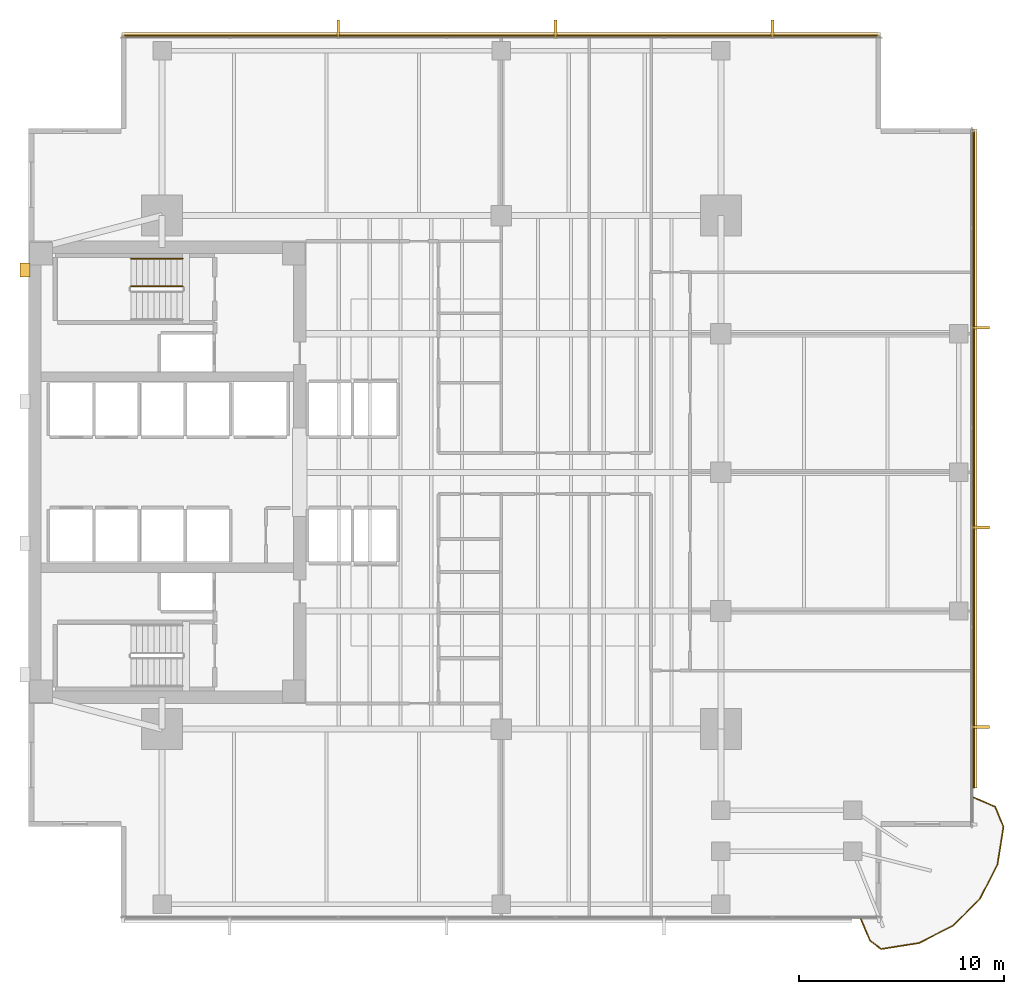
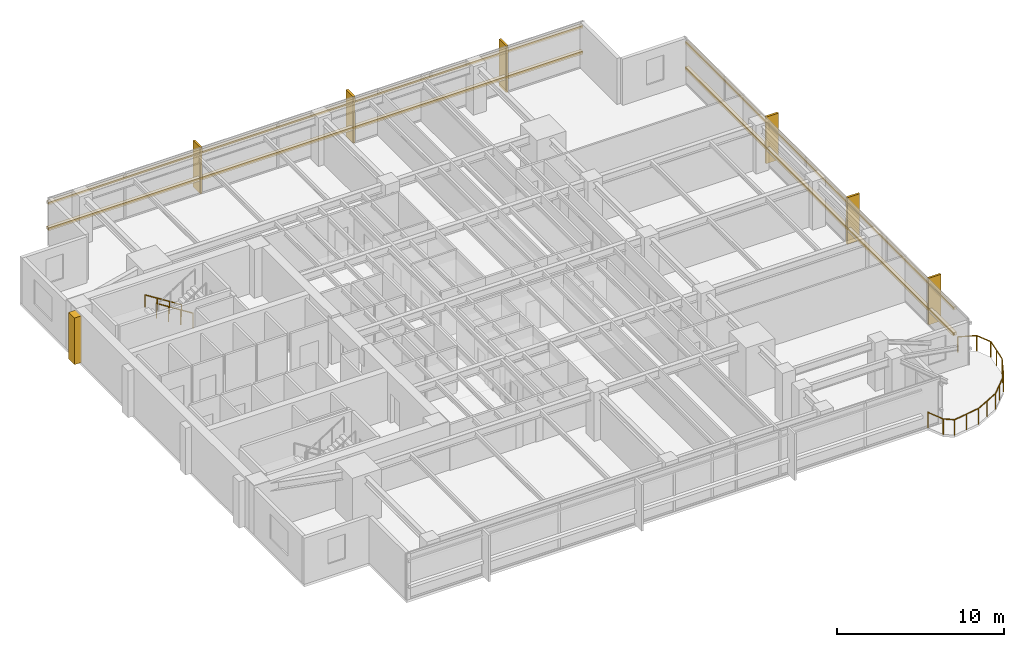
# One storey, part 14 of 14: 11 coverings, 11 railings, 4 shading devices.
"""IFC4 building model written with IfcOpenShell, lengths in metres."""

from ifc_helpers import new_model, si_unit, direction, frame, origin, origin_2d, place, context, subcontext, project, spatial, polyline, rectangle, circle, outline, extrude, material, layer, layer_set, material_profile, profile_set, type_object, element, save


model = new_model("IFC4")

# Units and contexts
model_context = context("Model", 3, precision=1e-05, world=origin(), true_north=direction((0.0, 1.0)))
body_context = subcontext(model_context, "Body", "Model", "MODEL_VIEW")
ifc_project = project(units=[si_unit("LENGTHUNIT", "METRE"), si_unit("AREAUNIT", "SQUARE_METRE"), si_unit("VOLUMEUNIT", "CUBIC_METRE"), si_unit("PLANEANGLEUNIT", "RADIAN"), si_unit("MASSUNIT", "GRAM", prefix="KILO")], contexts=[model_context])

# Site, building, storey
site_placement = place(None, origin())
site = spatial("IfcSite", under=ifc_project, at=site_placement, CompositionType="ELEMENT")
building_placement = place(site_placement, origin())
building = spatial("IfcBuilding", under=site, at=building_placement, Name="Kinhvarn Gate Tower", CompositionType="ELEMENT")
storey_placement = place(building_placement, frame((0.0, 0.0, 102.25)))
storey = spatial("IfcBuildingStorey", under=building, at=storey_placement, Name="L26", CompositionType="ELEMENT", Elevation=102.25)

# Coverings
ifc_material_1 = material(Name="Fired architectural terracotta", Category="masonry")
ifc_layer_1 = layer(ifc_material_1, 0.239990234375)
ifc_layer_set_1 = layer_set([ifc_layer_1], Name="Fired architectural terracotta")
covering_type_1 = type_object("IfcCoveringType", Name="COV-BAG-220", PredefinedType="CLADDING", material=ifc_layer_set_1)
for number, where, name in (
    (1, (0.0, 0.0, 0.93994140625), "Terracotta Horizontal Sunscreen Band TBG-220 (L26)"),
    (2, (0.0, 0.0, 2.81005859375), "Terracotta Horizontal Sunscreen Band TBG-220 (L26)"),
):
    element("IfcCovering", number, at=place(storey_placement, frame(where)), inside=storey, type_object=covering_type_1, Name=name, PredefinedType="CLADDING", context=body_context, shape_type="SweptSolid", body=[
        extrude(outline(polyline([(45.9599609375, 46.429931640625), (9.0400390625, 46.429931640625), (9.0400390625, 46.669921875), (45.9599609375, 46.669921875), (45.9599609375, 46.429931640625)])), origin(), (0.0, 0.0, 1.0), 0.219970703125),
    ])
for number, where, name in (
    (3, (0.0, 0.0, 0.93994140625), "Terracotta Horizontal Sunscreen Band TBG-220 (L26)"),
    (4, (0.0, 0.0, 2.81005859375), "Terracotta Horizontal Sunscreen Band TBG-220 (L26)"),
):
    element("IfcCovering", number, at=place(storey_placement, frame(where)), inside=storey, type_object=covering_type_1, Name=name, PredefinedType="CLADDING", context=body_context, shape_type="SweptSolid", body=[
        extrude(outline(polyline([(50.429931640625, 9.875), (50.429931640625, 41.9599609375), (50.669921875, 41.9599609375), (50.669921875, 9.875), (50.429931640625, 9.875)])), origin(), (0.0, 0.0, 1.0), 0.219970703125),
    ])
ifc_layer_2 = layer(ifc_material_1, 0.139892578125)
ifc_layer_set_2 = layer_set([ifc_layer_2], Name="Fired architectural terracotta")
covering_type_2 = type_object("IfcCoveringType", Name="COV-FIN-850", PredefinedType="CLADDING", material=ifc_layer_set_2)
covering_1_placement = place(storey_placement, frame((0.0, 0.0, -0.02001953125)))
element("IfcCovering", 5, at=covering_1_placement, inside=storey, type_object=covering_type_2, Name="Vertical Terracotta Expressive Fin TFN-850 (L26)", PredefinedType="CLADDING", context=body_context, shape_type="SweptSolid", body=[
    extrude(outline(polyline([(40.7841796875, 46.419921875), (40.644287109375, 46.419921875), (40.644287109375, 47.27001953125), (40.7841796875, 47.27001953125), (40.7841796875, 46.419921875)])), origin(), (0.0, 0.0, 1.0), 3.409912109375),
])
covering_2_placement = place(storey_placement, frame((0.0, 0.0, -0.02001953125)))
element("IfcCovering", 6, at=covering_2_placement, inside=storey, type_object=covering_type_2, Name="Vertical Terracotta Expressive Fin TFN-850 (L26)", PredefinedType="CLADDING", context=body_context, shape_type="SweptSolid", body=[
    extrude(outline(polyline([(30.212890625, 46.419921875), (30.072998046875, 46.419921875), (30.072998046875, 47.27001953125), (30.212890625, 47.27001953125), (30.212890625, 46.419921875)])), origin(), (0.0, 0.0, 1.0), 3.409912109375),
])
covering_3_placement = place(storey_placement, frame((0.0, 0.0, -0.02001953125)))
element("IfcCovering", 7, at=covering_3_placement, inside=storey, type_object=covering_type_2, Name="Vertical Terracotta Expressive Fin TFN-850 (L26)", PredefinedType="CLADDING", context=body_context, shape_type="SweptSolid", body=[
    extrude(outline(polyline([(19.641357421875, 46.419921875), (19.50146484375, 46.419921875), (19.50146484375, 47.27001953125), (19.641357421875, 47.27001953125), (19.641357421875, 46.419921875)])), origin(), (0.0, 0.0, 1.0), 3.409912109375),
])
covering_4_placement = place(storey_placement, frame((0.0, 0.0, -0.02001953125)))
element("IfcCovering", 8, at=covering_4_placement, inside=storey, type_object=covering_type_2, Name="Vertical Terracotta Expressive Fin TFN-850 (L26)", PredefinedType="CLADDING", context=body_context, shape_type="SweptSolid", body=[
    extrude(outline(polyline([(50.419921875, 12.787109375), (50.419921875, 12.927001953125), (51.27001953125, 12.927001953125), (51.27001953125, 12.787109375), (50.419921875, 12.787109375)])), origin(), (0.0, 0.0, 1.0), 3.409912109375),
])
covering_5_placement = place(storey_placement, frame((0.0, 0.0, -0.02001953125)))
element("IfcCovering", 9, at=covering_5_placement, inside=storey, type_object=covering_type_2, Name="Vertical Terracotta Expressive Fin TFN-850 (L26)", PredefinedType="CLADDING", context=body_context, shape_type="SweptSolid", body=[
    extrude(outline(polyline([(50.419921875, 22.50146484375), (50.419921875, 22.641357421875), (51.27001953125, 22.641357421875), (51.27001953125, 22.50146484375), (50.419921875, 22.50146484375)])), origin(), (0.0, 0.0, 1.0), 3.409912109375),
])
covering_6_placement = place(storey_placement, frame((0.0, 0.0, -0.02001953125)))
element("IfcCovering", 10, at=covering_6_placement, inside=storey, type_object=covering_type_2, Name="Vertical Terracotta Expressive Fin TFN-850 (L26)", PredefinedType="CLADDING", context=body_context, shape_type="SweptSolid", body=[
    extrude(outline(polyline([(50.419921875, 32.2158203125), (50.419921875, 32.355712890625), (51.27001953125, 32.355712890625), (51.27001953125, 32.2158203125), (50.419921875, 32.2158203125)])), origin(), (0.0, 0.0, 1.0), 3.409912109375),
])
ifc_material_2 = material(Name="Precast white architectural concrete C40/50", Category="concrete")
ifc_layer_3 = layer(ifc_material_2, 0.47998046875)
ifc_layer_set_3 = layer_set([ifc_layer_3], Name="Precast white architectural concrete C40/50")
covering_type_3 = type_object("IfcCoveringType", Name="COV-RIB-450", PredefinedType="CLADDING", material=ifc_layer_set_3)
covering_7_placement = place(storey_placement, frame((0.0, 0.0, -0.02001953125)))
element("IfcCovering", 11, at=covering_7_placement, inside=storey, type_object=covering_type_3, Name="West Core Sculptural Concrete Relief Rib CRB-450 (L26)", PredefinedType="CLADDING", context=body_context, shape_type="SweptSolid", body=[
    extrude(outline(polyline([(4.080078125, 34.75), (4.56005859375, 34.75), (4.56005859375, 35.449951171875), (4.080078125, 35.449951171875), (4.080078125, 34.75)])), origin(), (0.0, 0.0, 1.0), 3.409912109375),
])

# Railings
ifc_material_3 = material(Name="Clear low-e double glazing", Category="glass")
railing_type_1 = type_object("IfcRailingType", Name="RL-BAL-1150", PredefinedType="BALUSTRADE", material=ifc_material_3)
railing_1_placement = place(storey_placement, frame((45.011962890625, 3.5, 0.0)))
element("IfcRailing", 12, at=railing_1_placement, inside=storey, type_object=railing_type_1, Name="S-Carve Balcony Guardrail Seg 1 (L26)", PredefinedType="BALUSTRADE", context=body_context, shape_type="SweptSolid", body=[
    extrude(circle(Radius=0.02392578125, at=origin_2d()), frame((0.0, 0.0, 1.1259765625), z_axis=(0.39394509609, -0.919133973514, 0.0), x_axis=(0.919133973514, 0.39394509609, 0.0)), (0.0, 0.0, 1.0), 1.14208984375),
    extrude(circle(Radius=0.02099609375, at=origin_2d()), origin(), (0.0, 0.0, 1.0), 1.101806640625),
    extrude(circle(Radius=0.02099609375, at=origin_2d()), frame((0.449951171875, -1.0498046875, 0.0)), (0.0, 0.0, 1.0), 1.101806640625),
])
railing_2_placement = place(storey_placement, frame((45.4619140625, 2.4501953125, 0.0)))
element("IfcRailing", 13, at=railing_2_placement, inside=storey, type_object=railing_type_1, Name="S-Carve Balcony Guardrail Seg 2 (L26)", PredefinedType="BALUSTRADE", context=body_context, shape_type="SweptSolid", body=[
    extrude(circle(Radius=0.02392578125, at=origin_2d()), frame((0.0, 0.0, 1.1259765625), z_axis=(0.796691270902, -0.604386481374, 0.0), x_axis=(0.604386481374, 0.796691270902, 0.0)), (0.0, 0.0, 1.0), 0.67529296875),
    extrude(circle(Radius=0.02099609375, at=origin_2d()), origin(), (0.0, 0.0, 1.0), 1.101806640625),
    extrude(circle(Radius=0.02099609375, at=origin_2d()), frame((0.5380859375, -0.408203125, 0.0)), (0.0, 0.0, 1.0), 1.101806640625),
])
railing_3_placement = place(storey_placement, frame((46.0, 2.0419921875, 0.0)))
element("IfcRailing", 14, at=railing_3_placement, inside=storey, type_object=railing_type_1, Name="S-Carve Balcony Guardrail Seg 3 (L26)", PredefinedType="BALUSTRADE", context=body_context, shape_type="SweptSolid", body=[
    extrude(circle(Radius=0.02392578125, at=origin_2d()), frame((0.0, 0.0, 1.1259765625), z_axis=(0.987695970084, 0.156386286737, 0.0), x_axis=(-0.156386286737, 0.987695970084, 0.0)), (0.0, 0.0, 1.0), 1.864013671875),
    extrude(circle(Radius=0.02099609375, at=origin_2d()), origin(), (0.0, 0.0, 1.0), 1.101806640625),
    extrude(circle(Radius=0.02099609375, at=origin_2d()), frame((0.92041015625, 0.145751953125, 0.0)), (0.0, 0.0, 1.0), 1.101806640625),
    extrude(circle(Radius=0.02099609375, at=origin_2d()), frame((1.841064453125, 0.29150390625, 0.0)), (0.0, 0.0, 1.0), 1.101806640625),
])
railing_4_placement = place(storey_placement, frame((47.841064453125, 2.33349609375, 0.0)))
element("IfcRailing", 15, at=railing_4_placement, inside=storey, type_object=railing_type_1, Name="S-Carve Balcony Guardrail Seg 4 (L26)", PredefinedType="BALUSTRADE", context=body_context, shape_type="SweptSolid", body=[
    extrude(circle(Radius=0.02392578125, at=origin_2d()), frame((0.0, 0.0, 1.1259765625), z_axis=(0.890969523609, 0.45406311015, 0.0), x_axis=(-0.45406311015, 0.890969523609, 0.0)), (0.0, 0.0, 1.0), 1.8642578125),
    extrude(circle(Radius=0.02099609375, at=origin_2d()), origin(), (0.0, 0.0, 1.0), 1.101806640625),
    extrude(circle(Radius=0.02099609375, at=origin_2d()), frame((0.83056640625, 0.42333984375, 0.0)), (0.0, 0.0, 1.0), 1.101806640625),
    extrude(circle(Radius=0.02099609375, at=origin_2d()), frame((1.660888671875, 0.846435546875, 0.0)), (0.0, 0.0, 1.0), 1.101806640625),
])
railing_5_placement = place(storey_placement, frame((49.501953125, 3.179931640625, 0.0)))
element("IfcRailing", 16, at=railing_5_placement, inside=storey, type_object=railing_type_1, Name="S-Carve Balcony Guardrail Seg 5 (L26)", PredefinedType="BALUSTRADE", context=body_context, shape_type="SweptSolid", body=[
    extrude(circle(Radius=0.02392578125, at=origin_2d()), frame((0.0, 0.0, 1.1259765625), z_axis=(0.707106781187, 0.707106781187, 0.0), x_axis=(-0.707106781187, 0.707106781187, 0.0)), (0.0, 0.0, 1.0), 1.864013671875),
    extrude(circle(Radius=0.02099609375, at=origin_2d()), origin(), (0.0, 0.0, 1.0), 1.101806640625),
    extrude(circle(Radius=0.02099609375, at=origin_2d()), frame((0.6591796875, 0.6591796875, 0.0)), (0.0, 0.0, 1.0), 1.101806640625),
    extrude(circle(Radius=0.02099609375, at=origin_2d()), frame((1.318115234375, 1.318115234375, 0.0)), (0.0, 0.0, 1.0), 1.101806640625),
])
railing_6_placement = place(storey_placement, frame((50.820068359375, 4.498046875, 0.0)))
element("IfcRailing", 17, at=railing_6_placement, inside=storey, type_object=railing_type_1, Name="S-Carve Balcony Guardrail Seg 6 (L26)", PredefinedType="BALUSTRADE", context=body_context, shape_type="SweptSolid", body=[
    extrude(circle(Radius=0.02392578125, at=origin_2d()), frame((0.0, 0.0, 1.1259765625), z_axis=(0.45406311015, 0.890969523609, 0.0), x_axis=(-0.890969523609, 0.45406311015, 0.0)), (0.0, 0.0, 1.0), 1.8642578125),
    extrude(circle(Radius=0.02099609375, at=origin_2d()), origin(), (0.0, 0.0, 1.0), 1.101806640625),
    extrude(circle(Radius=0.02099609375, at=origin_2d()), frame((0.42333984375, 0.83056640625, 0.0)), (0.0, 0.0, 1.0), 1.101806640625),
    extrude(circle(Radius=0.02099609375, at=origin_2d()), frame((0.846435546875, 1.660888671875, 0.0)), (0.0, 0.0, 1.0), 1.101806640625),
])
railing_7_placement = place(storey_placement, frame((51.66650390625, 6.158935546875, 0.0)))
element("IfcRailing", 18, at=railing_7_placement, inside=storey, type_object=railing_type_1, Name="S-Carve Balcony Guardrail Seg 7 (L26)", PredefinedType="BALUSTRADE", context=body_context, shape_type="SweptSolid", body=[
    extrude(circle(Radius=0.02392578125, at=origin_2d()), frame((0.0, 0.0, 1.1259765625), z_axis=(0.156386286737, 0.987695970084, 0.0), x_axis=(-0.987695970084, 0.156386286737, 0.0)), (0.0, 0.0, 1.0), 1.864013671875),
    extrude(circle(Radius=0.02099609375, at=origin_2d()), origin(), (0.0, 0.0, 1.0), 1.101806640625),
    extrude(circle(Radius=0.02099609375, at=origin_2d()), frame((0.145751953125, 0.92041015625, 0.0)), (0.0, 0.0, 1.0), 1.101806640625),
    extrude(circle(Radius=0.02099609375, at=origin_2d()), frame((0.29150390625, 1.841064453125, 0.0)), (0.0, 0.0, 1.0), 1.101806640625),
])
railing_8_placement = place(storey_placement, frame((51.9580078125, 8.0, 0.0)))
element("IfcRailing", 19, at=railing_8_placement, inside=storey, type_object=railing_type_1, Name="S-Carve Balcony Guardrail Seg 8 (L26)", PredefinedType="BALUSTRADE", context=body_context, shape_type="SweptSolid", body=[
    extrude(circle(Radius=0.02392578125, at=origin_2d()), frame((0.0, 0.0, 1.1259765625), z_axis=(-0.386156368869, 0.922433335684, 0.0), x_axis=(-0.922433335684, -0.386156368869, 0.0)), (0.0, 0.0, 1.0), 1.05712890625),
    extrude(circle(Radius=0.02099609375, at=origin_2d()), origin(), (0.0, 0.0, 1.0), 1.101806640625),
    extrude(circle(Radius=0.02099609375, at=origin_2d()), frame((-0.408203125, 0.97509765625, 0.0)), (0.0, 0.0, 1.0), 1.101806640625),
])
railing_9_placement = place(storey_placement, frame((51.5498046875, 8.97509765625, 0.0)))
element("IfcRailing", 20, at=railing_9_placement, inside=storey, type_object=railing_type_1, Name="S-Carve Balcony Guardrail Seg 9 (L26)", PredefinedType="BALUSTRADE", context=body_context, shape_type="SweptSolid", body=[
    extrude(circle(Radius=0.02392578125, at=origin_2d()), frame((0.0, 0.0, 1.1259765625), z_axis=(-0.919133973514, 0.39394509609, 0.0), x_axis=(-0.39394509609, -0.919133973514, 0.0)), (0.0, 0.0, 1.0), 1.14208984375),
    extrude(circle(Radius=0.02099609375, at=origin_2d()), origin(), (0.0, 0.0, 1.0), 1.101806640625),
    extrude(circle(Radius=0.02099609375, at=origin_2d()), frame((-1.0498046875, 0.449951171875, 0.0)), (0.0, 0.0, 1.0), 1.101806640625),
])
ifc_material_4 = material(Name="Steel S355", Category="steel")
railing_type_2 = type_object("IfcRailingType", Name="RL-ST-GRD", PredefinedType="BALUSTRADE", material=ifc_material_4)
railing_10_placement = place(storey_placement, frame((12.0, 34.300048828125, 0.177490234375)))
element("IfcRailing", 21, at=railing_10_placement, inside=storey, type_object=railing_type_2, Name="L26 ST2 stair guard 1", PredefinedType="BALUSTRADE", context=body_context, shape_type="SweptSolid", body=[
    extrude(circle(Radius=0.02392578125, at=origin_2d()), frame((0.0, 0.0, 1.076171875), z_axis=(-0.84460694969, 0.0, 0.535386869969), x_axis=(0.0, -1.0, 0.0)), (0.0, 0.0, 1.0), 2.983642578125),
    extrude(circle(Radius=0.02099609375, at=origin_2d()), origin(), (0.0, 0.0, 1.0), 1.052001953125),
    extrude(circle(Radius=0.02099609375, at=origin_2d()), frame((-0.840087890625, 0.0, 0.532470703125)), (0.0, 0.0, 1.0), 1.052001953125),
    extrude(circle(Radius=0.02099609375, at=origin_2d()), frame((-1.679931640625, 0.0, 1.06494140625)), (0.0, 0.0, 1.0), 1.052001953125),
    extrude(circle(Radius=0.02099609375, at=origin_2d()), frame((-2.52001953125, 0.0, 1.597412109375)), (0.0, 0.0, 1.0), 1.052001953125),
])
railing_type_3 = type_object("IfcRailingType", Name="RL-ST-HND", PredefinedType="HANDRAIL", material=ifc_material_4)
railing_11_placement = place(storey_placement, frame((12.0, 35.64990234375, 0.177490234375)))
element("IfcRailing", 22, at=railing_11_placement, inside=storey, type_object=railing_type_3, Name="L26 ST2 stair handrail 1", PredefinedType="HANDRAIL", context=body_context, shape_type="SweptSolid", body=[
    extrude(circle(Radius=0.02392578125, at=origin_2d()), frame((0.0, 0.0, 0.8759765625), z_axis=(-0.84460694969, 0.0, 0.535386869969), x_axis=(0.0, -1.0, 0.0)), (0.0, 0.0, 1.0), 2.983642578125),
    extrude(circle(Radius=0.02099609375, at=origin_2d()), origin(), (0.0, 0.0, 1.0), 0.851806640625),
    extrude(circle(Radius=0.02099609375, at=origin_2d()), frame((-0.840087890625, 0.0, 0.532470703125)), (0.0, 0.0, 1.0), 0.851806640625),
    extrude(circle(Radius=0.02099609375, at=origin_2d()), frame((-1.679931640625, 0.0, 1.06494140625)), (0.0, 0.0, 1.0), 0.851806640625),
    extrude(circle(Radius=0.02099609375, at=origin_2d()), frame((-2.52001953125, 0.0, 1.597412109375)), (0.0, 0.0, 1.0), 0.851806640625),
])

# Shading devices
ifc_material_profile = material_profile(ifc_material_1, rectangle(XDim=0.050048828125, YDim=0.1201171875, at=origin_2d()), Name="TC 50x120")
ifc_profile_set = profile_set([ifc_material_profile], Name="Fired architectural terracotta")
shading_device_type = type_object("IfcShadingDeviceType", Name="SHD-BAG-140", PredefinedType="USERDEFINED", material=ifc_profile_set)
for number, where, z_axis, x_axis, name in (
    (23, (45.9599609375, 46.5, 1.050048828125), (-1.0, 0.0, 0.0), (0.0, -1.0, 0.0), "Upper Tower Terracotta Baguette Screen Rod 50x120 mm (L26)"),
    (24, (45.9599609375, 46.5, 2.919921875), (-1.0, 0.0, 0.0), (0.0, -1.0, 0.0), "Upper Tower Terracotta Baguette Screen Rod 50x120 mm (L26)"),
):
    element("IfcShadingDevice", number, at=place(storey_placement, frame(where, z_axis=z_axis, x_axis=x_axis)), inside=storey, type_object=shading_device_type, Name=name, ObjectType="BAGUETTE", PredefinedType="USERDEFINED", context=body_context, shape_type="SweptSolid", body=[
        extrude(rectangle(XDim=0.050048828125, YDim=0.1201171875, at=origin_2d()), origin(), (0.0, 0.0, 1.0), 36.919921875),
    ])
for number, where, z_axis, x_axis, name in (
    (25, (50.5, 9.875, 1.050048828125), (0.0, 1.0, 0.0), (-1.0, 0.0, 0.0), "Upper Tower Terracotta Baguette Screen Rod 50x120 mm (L26)"),
    (26, (50.5, 9.875, 2.919921875), (0.0, 1.0, 0.0), (-1.0, 0.0, 0.0), "Upper Tower Terracotta Baguette Screen Rod 50x120 mm (L26)"),
):
    element("IfcShadingDevice", number, at=place(storey_placement, frame(where, z_axis=z_axis, x_axis=x_axis)), inside=storey, type_object=shading_device_type, Name=name, ObjectType="BAGUETTE", PredefinedType="USERDEFINED", context=body_context, shape_type="SweptSolid", body=[
        extrude(rectangle(XDim=0.050048828125, YDim=0.1201171875, at=origin_2d()), origin(), (0.0, 0.0, 1.0), 32.0849609375),
    ])

save(model, "model.ifc")
